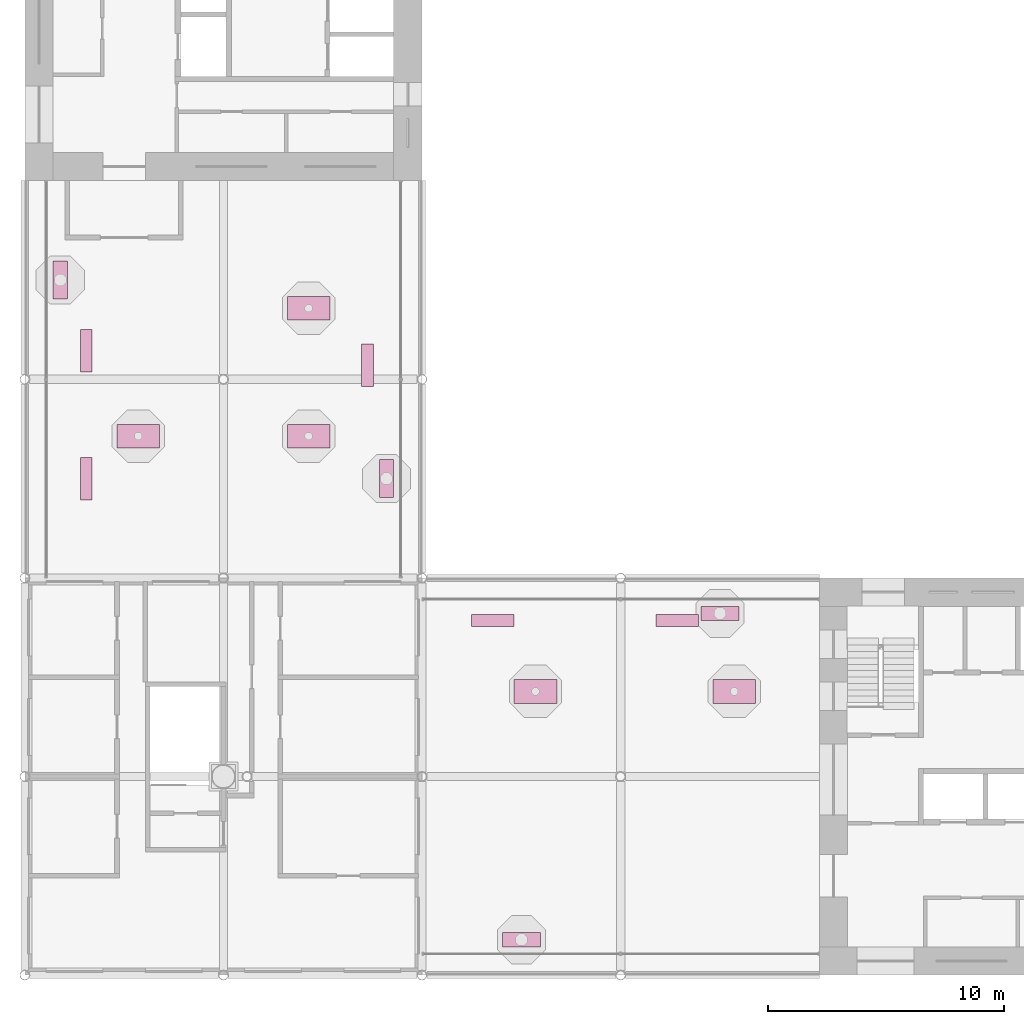
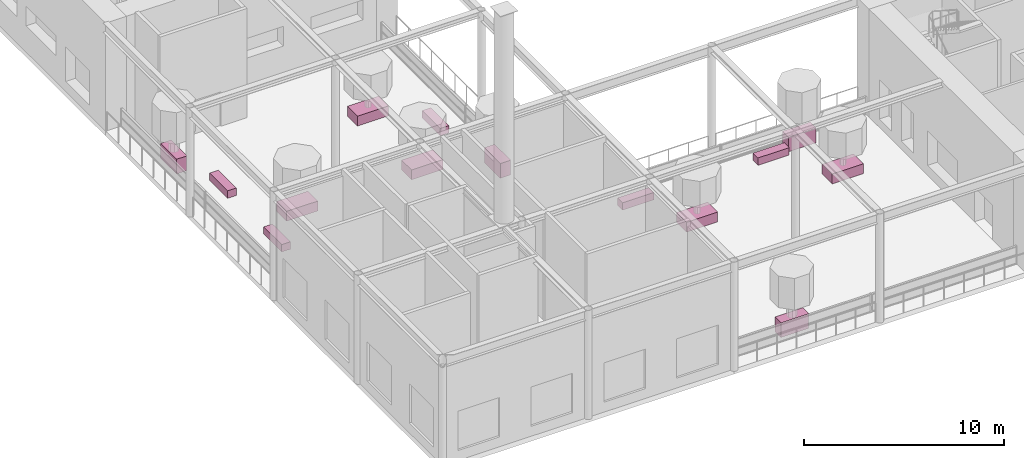
# One storey, part 14 of 15: 14 furniture elements.
"""IFC4 building model written with IfcOpenShell, lengths in metres."""

from ifc_helpers import new_model, si_unit, direction, frame, origin, origin_2d, place, context, subcontext, project, spatial, rectangle, extrude, material, element, save


model = new_model("IFC4")

# Units and contexts
model_context = context("Model", 3, precision=1e-05, world=origin(), true_north=direction((0.0, 1.0)))
body_context = subcontext(model_context, "Body", "Model", "MODEL_VIEW")
ifc_project = project(units=[si_unit("LENGTHUNIT", "METRE"), si_unit("AREAUNIT", "SQUARE_METRE"), si_unit("VOLUMEUNIT", "CUBIC_METRE"), si_unit("PLANEANGLEUNIT", "RADIAN"), si_unit("MASSUNIT", "GRAM", prefix="KILO")], contexts=[model_context])

# Site, building, storey
site_placement = place(None, origin())
site = spatial("IfcSite", under=ifc_project, at=site_placement, CompositionType="ELEMENT")
building_placement = place(site_placement, origin())
building = spatial("IfcBuilding", under=site, at=building_placement, Name="Vermilion Gate Residences", CompositionType="ELEMENT")
storey_placement = place(building_placement, frame((0.0, 0.0, 277.199951171875)))
storey = spatial("IfcBuildingStorey", under=building, at=storey_placement, Name="L73", CompositionType="ELEMENT", Elevation=277.199951171875)

# Furniture
ifc_material_1 = material(Name="Terracotta planter", Category="masonry")
for number, where, z_axis, x_axis, name in (
    (1, (30.0, 20.39990234375, 0.0), (0.0, 0.0, 1.0), (1.0, 0.0, 0.0), "PLANTER"),
    (2, (38.39990234375, 20.39990234375, 0.0), (0.0, 0.0, 1.0), (1.0, 0.0, 0.0), "PLANTER"),
    (3, (13.199951171875, 31.199951171875, 0.0), (0.0, 0.0, 1.0), (1.0, 0.0, 0.0), "PLANTER"),
    (4, (20.39990234375, 31.199951171875, 0.0), (0.0, 0.0, 1.0), (1.0, 0.0, 0.0), "PLANTER"),
    (5, (20.39990234375, 36.60009765625, 0.0), (0.0, 0.0, 1.0), (1.0, 0.0, 0.0), "PLANTER"),
):
    element("IfcFurniture", number, at=place(storey_placement, frame(where, z_axis=z_axis, x_axis=x_axis)), inside=storey, material=ifc_material_1, Name=name, ObjectType="PLANTER", PredefinedType="USERDEFINED", context=body_context, shape_type="SweptSolid", body=[
        extrude(rectangle(XDim=1.800048828125, YDim=1.0, at=origin_2d()), origin(), (0.0, 0.0, 1.0), 0.60009765625),
    ])
ifc_material_2 = material(Name="Timber", Category="wood")
for number, where, z_axis, x_axis, name in (
    (6, (28.199951171875, 23.39990234375, 0.0), (0.0, 0.0, 1.0), (1.0, 0.0, 0.0), "Deck bench"),
    (7, (36.0, 23.39990234375, 0.0), (0.0, 0.0, 1.0), (1.0, 0.0, 0.0), "Deck bench"),
    (8, (22.89990234375, 34.199951171875, 0.0), (0.0, 0.0, 1.0), (0.0, 1.0, 0.0), "Deck bench"),
    (9, (11.0, 34.800048828125, 0.0), (0.0, 0.0, 1.0), (0.0, 1.0, 0.0), "Deck bench"),
    (10, (11.0, 29.39990234375, 0.0), (0.0, 0.0, 1.0), (0.0, 1.0, 0.0), "Deck bench"),
):
    element("IfcFurniture", number, at=place(storey_placement, frame(where, z_axis=z_axis, x_axis=x_axis)), inside=storey, material=ifc_material_2, Name=name, ObjectType="BENCH", PredefinedType="USERDEFINED", context=body_context, shape_type="SweptSolid", body=[
        extrude(rectangle(XDim=1.800048828125, YDim=0.5, at=origin_2d()), origin(), (0.0, 0.0, 1.0), 0.449951171875),
    ])
for number, where, z_axis, x_axis, name in (
    (11, (29.39990234375, 9.89990234375, 0.0), (0.0, 0.0, 1.0), (1.0, 0.0, 0.0), "PLANTER"),
    (12, (37.800048828125, 23.699951171875, 0.0), (0.0, 0.0, 1.0), (-1.0, 0.0, 0.0), "PLANTER"),
    (13, (23.699951171875, 29.39990234375, 0.0), (0.0, 0.0, 1.0), (0.0, 1.0, 0.0), "PLANTER"),
    (14, (9.89990234375, 37.800048828125, 0.0), (0.0, 0.0, 1.0), (0.0, -1.0, 0.0), "PLANTER"),
):
    element("IfcFurniture", number, at=place(storey_placement, frame(where, z_axis=z_axis, x_axis=x_axis)), inside=storey, material=ifc_material_1, Name=name, ObjectType="PLANTER", PredefinedType="USERDEFINED", context=body_context, shape_type="SweptSolid", body=[
        extrude(rectangle(XDim=1.60009765625, YDim=0.60009765625, at=origin_2d()), origin(), (0.0, 0.0, 1.0), 0.89990234375),
    ])

save(model, "model.ifc")
